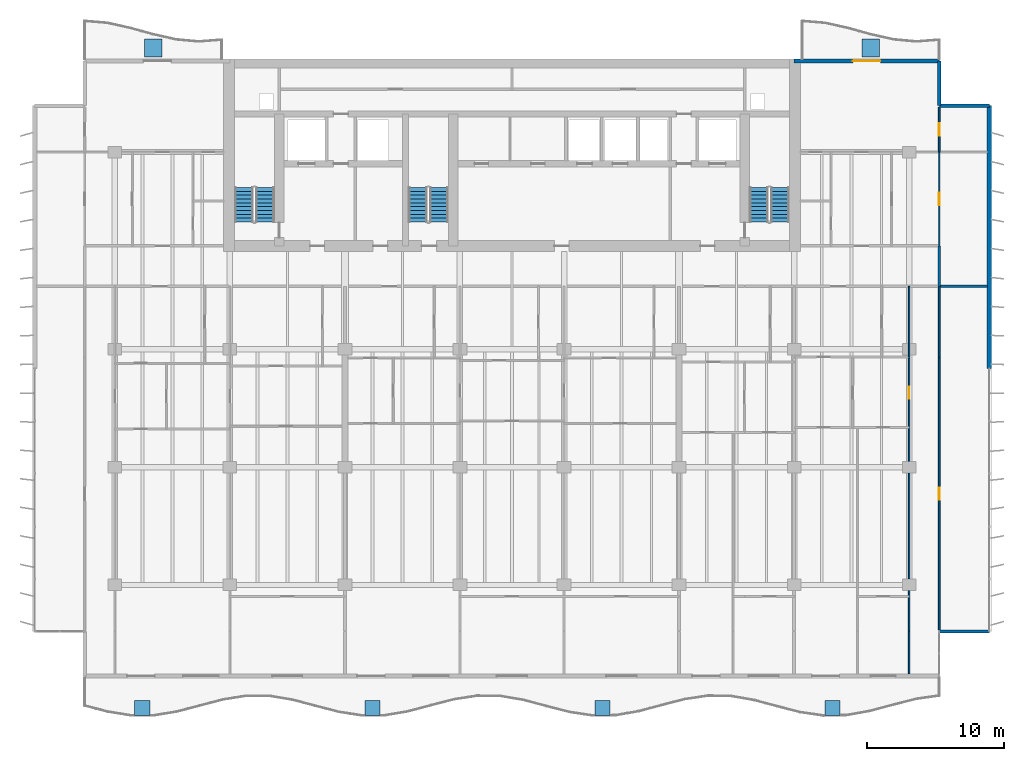
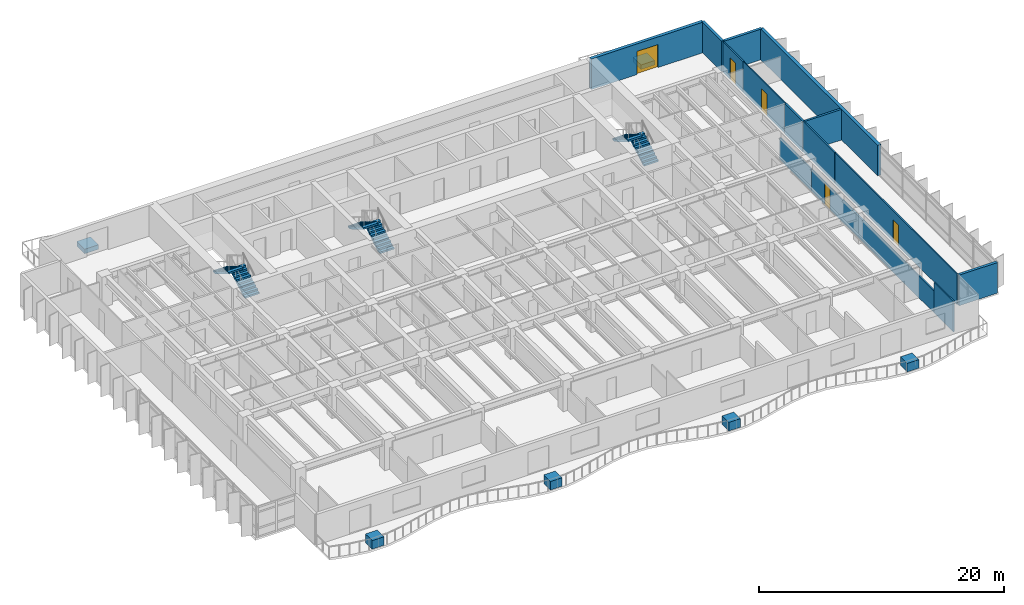
# One storey, part 11 of 15: 14 walls, 6 discrete accessories, 6 stair flights, 5 doors, 5 openings, 3 elements without a shape of their own.
"""IFC4 building model written with IfcOpenShell, lengths in metres."""

from ifc_helpers import new_model, si_unit, direction, frame, frame_2d, origin, origin_2d, place, context, subcontext, project, spatial, polyline, rectangle, outline, extrude, material, layer, layer_set, type_object, element, fill, aggregate, save


model = new_model("IFC4")

# Units and contexts
model_context = context("Model", 3, precision=1e-05, world=origin(), true_north=direction((0.0, 1.0)))
body_context = subcontext(model_context, "Body", "Model", "MODEL_VIEW")
ifc_project = project(units=[si_unit("LENGTHUNIT", "METRE"), si_unit("AREAUNIT", "SQUARE_METRE"), si_unit("VOLUMEUNIT", "CUBIC_METRE"), si_unit("PLANEANGLEUNIT", "RADIAN"), si_unit("MASSUNIT", "GRAM", prefix="KILO")], contexts=[model_context])

# Site, building, storey
site_placement = place(None, origin())
site = spatial("IfcSite", under=ifc_project, at=site_placement, CompositionType="ELEMENT")
building_placement = place(site_placement, origin())
building = spatial("IfcBuilding", under=site, at=building_placement, Name="Caelmar Bay Residences", CompositionType="ELEMENT")
storey_placement = place(building_placement, frame((0.0, 0.0, 135.60009765625)))
storey = spatial("IfcBuildingStorey", under=building, at=storey_placement, Name="L37", CompositionType="ELEMENT", Elevation=135.60009765625)

# Walls
ifc_material_1 = material(Name="Double-stud acoustic fire-rated gypsum partition 180 mm")
ifc_layer_1 = layer(ifc_material_1, 0.179931640625)
ifc_layer_set_1 = layer_set([ifc_layer_1], Name="Double-stud acoustic fire-rated gypsum partition 180 mm")
wall_type_1 = type_object("IfcWallType", Name="W-COR-200", PredefinedType="PARTITIONING", material=ifc_layer_set_1)
wall_1_placement = place(storey_placement, frame((70.10009765625, 34.0048828125, 0.0), z_axis=(0.0, 0.0, 1.0), x_axis=(0.0, 1.0, 0.0)))
element("IfcWall", 1, at=wall_1_placement, inside=storey, type_object=wall_type_1, Name="L37 Partition Wall V068", PredefinedType="PARTITIONING", context=body_context, shape_type="SweptSolid", body=[
    extrude(rectangle(XDim=2.945068359375, YDim=0.179931640625, at=frame_2d((1.47265625, 0.0))), origin(), (0.0, 0.0, 1.0), 3.0498046875),
])
ifc_material_2 = material(Name="Precast concrete f'c 40 MPa (6,000 psi)", Category="concrete")
ifc_layer_2 = layer(ifc_material_2, 0.25)
ifc_layer_set_2 = layer_set([ifc_layer_2], Name="Precast concrete f'c 40 MPa (6,000 psi)")
wall_type_2 = type_object("IfcWallType", Name="W-EXT-250", PredefinedType="ELEMENTEDWALL", material=ifc_layer_set_2)
wall_2_placement = place(storey_placement, frame((70.10009765625, 8.800048828125, 0.0), z_axis=(0.0, 0.0, 1.0), x_axis=(1.0, 0.0, 0.0)))
element("IfcWall", 2, at=wall_2_placement, inside=storey, type_object=wall_type_2, Name="L37 SE Notch Return Wall", PredefinedType="ELEMENTEDWALL", context=body_context, shape_type="SweptSolid", body=[
    extrude(rectangle(XDim=3.64990234375, YDim=0.25, at=frame_2d((1.824951171875, 0.0))), origin(), (0.0, 0.0, 1.0), 3.0498046875),
])
wall_3_placement = place(storey_placement, frame((70.10009765625, 50.449951171875, 0.0), z_axis=(0.0, 0.0, 1.0), x_axis=(0.0, -1.0, 0.0)))
element("IfcWall", 3, at=wall_3_placement, inside=storey, type_object=wall_type_2, Name="L37 NNE-V Notch Wall", PredefinedType="ELEMENTEDWALL", context=body_context, shape_type="SweptSolid", body=[
    extrude(rectangle(XDim=3.25, YDim=0.25, at=frame_2d((1.625, 0.0))), origin(), (0.0, 0.0, 1.0), 3.0498046875),
])
wall_4_placement = place(storey_placement, frame((70.10009765625, 47.199951171875, 0.0), z_axis=(0.0, 0.0, 1.0), x_axis=(1.0, 0.0, 0.0)))
element("IfcWall", 4, at=wall_4_placement, inside=storey, type_object=wall_type_2, Name="L37 NNE-H Notch Wall", PredefinedType="ELEMENTEDWALL", context=body_context, shape_type="SweptSolid", body=[
    extrude(rectangle(XDim=3.64990234375, YDim=0.25, at=frame_2d((1.824951171875, 0.0))), origin(), (0.0, 0.0, 1.0), 3.0498046875),
])
ifc_layer_3 = layer(ifc_material_2, 0.300048828125)
ifc_layer_set_3 = layer_set([ifc_layer_3], Name="Precast concrete f'c 40 MPa (6,000 psi)")
wall_type_3 = type_object("IfcWallType", Name="W-EXT-300", PredefinedType="STANDARD", material=ifc_layer_set_3)
wall_5_placement = place(storey_placement, frame((73.75, 47.199951171875, 0.0), z_axis=(0.0, 0.0, 1.0), x_axis=(0.0, -1.0, 0.0)))
element("IfcWall", 5, at=wall_5_placement, inside=storey, type_object=wall_type_3, Name="L37 East Rear Exterior Wall", PredefinedType="STANDARD", context=body_context, shape_type="SweptSolid", body=[
    extrude(rectangle(XDim=19.199951171875, YDim=0.300048828125, at=frame_2d((9.60009765625, 0.0))), origin(), (0.0, 0.0, 1.0), 3.0498046875),
])

# Wall, opening, door
wall_6_placement = place(storey_placement, frame((59.5, 50.449951171875, 0.0), z_axis=(0.0, 0.0, 1.0), x_axis=(1.0, 0.0, 0.0)))
wall_6 = element("IfcWall", 6, at=wall_6_placement, inside=storey, type_object=wall_type_3, Name="L37 North-East Wing Exterior Wall", PredefinedType="STANDARD", context=body_context, shape_type="SweptSolid", body=[
    extrude(rectangle(XDim=10.60009765625, YDim=0.300048828125, at=frame_2d((5.300048828125, 0.0))), origin(), (0.0, 0.0, 1.0), 3.0498046875),
])
opening_1_placement = place(wall_6_placement, frame((4.300048828125, 0.0, 0.0)))
opening_1 = element("IfcOpeningElement", 7, at=opening_1_placement, cuts=wall_6, Name="Opening L37-BDNE", PredefinedType="OPENING", context=body_context, shape_type="SweptSolid", body=[
    extrude(rectangle(XDim=2.0, YDim=2.300048828125, at=frame_2d((1.0, 1.14990234375))), frame((0.0, 0.159912109375, 0.0), z_axis=(0.0, -1.0, 0.0), x_axis=(1.0, 0.0, 0.0)), (0.0, 0.0, 1.0), 0.320068359375),
])
ifc_material_3 = material(Name="Anodised bronze thermally broken sliding glass door", Category="glass")
ifc_layer_4 = layer(ifc_material_3, 0.050048828125)
ifc_layer_set_4 = layer_set([ifc_layer_4], Name="Anodised bronze thermally broken sliding glass door")
door_type_1 = type_object("IfcDoorType", Name="D-BAL-2000", OperationType="DOUBLE_DOOR_SLIDING", PredefinedType="DOOR", material=ifc_layer_set_4)
door_1_placement = place(opening_1_placement, origin())
door_1 = element("IfcDoor", 8, at=door_1_placement, inside=storey, type_object=door_type_1, Name="L37 North-East Balcony Door", OperationType="DOUBLE_DOOR_SLIDING", OverallHeight=2.300048828125, OverallWidth=2.0, PredefinedType="DOOR", context=body_context, shape_type="SweptSolid", body=[
    extrude(rectangle(XDim=2.0, YDim=2.300048828125, at=frame_2d((1.0, 1.14990234375))), frame((0.0, 0.02490234375, 0.0), z_axis=(0.0, -1.0, 0.0), x_axis=(1.0, 0.0, 0.0)), (0.0, 0.0, 1.0), 0.050048828125),
])
fill(opening_1, door_1)

ifc_material_4 = material(Name="Anodised bronze framed acoustic sliding study partition 100 mm")
ifc_layer_5 = layer(ifc_material_4, 0.10009765625)
ifc_layer_set_5 = layer_set([ifc_layer_5], Name="Anodised bronze framed acoustic sliding study partition 100 mm")
wall_type_4 = type_object("IfcWallType", Name="W-MOV-100", PredefinedType="MOVABLE", material=ifc_layer_set_5)
wall_7_placement = place(storey_placement, frame((70.10009765625, 36.955078125, 0.0), z_axis=(0.0, 0.0, 1.0), x_axis=(0.0, 1.0, 0.0)))
wall_7 = element("IfcWall", 9, at=wall_7_placement, inside=storey, type_object=wall_type_4, Name="L37 Partition Wall V069", PredefinedType="MOVABLE", context=body_context, shape_type="SweptSolid", body=[
    extrude(rectangle(XDim=6.844970703125, YDim=0.10009765625, at=frame_2d((3.42236328125, 0.0))), origin(), (0.0, 0.0, 1.0), 3.0498046875),
])
opening_2_placement = place(wall_7_placement, frame((2.972412109375, 0.0, 0.0)))
opening_2 = element("IfcOpeningElement", 10, at=opening_2_placement, cuts=wall_7, Name="Opening D-L37-175", PredefinedType="OPENING", context=body_context, shape_type="SweptSolid", body=[
    extrude(rectangle(XDim=0.89990234375, YDim=2.14990234375, at=frame_2d((0.449951171875, 1.074951171875))), frame((0.0, 0.06005859375, 0.0), z_axis=(0.0, -1.0, 0.0), x_axis=(1.0, 0.0, 0.0)), (0.0, 0.0, 1.0), 0.1201171875),
])
ifc_material_5 = material(Name="Solid walnut timber interior door leaf and frame", Category="wood")
ifc_layer_6 = layer(ifc_material_5, 0.050048828125)
ifc_layer_set_6 = layer_set([ifc_layer_6], Name="Solid walnut timber interior door leaf and frame")
door_type_2 = type_object("IfcDoorType", Name="D-ROOM-900", OperationType="NOTDEFINED", PredefinedType="DOOR", material=ifc_layer_set_6)
door_2_placement = place(opening_2_placement, origin())
door_2 = element("IfcDoor", 11, at=door_2_placement, inside=storey, type_object=door_type_2, Name="L37 Residence EA Sun Study Door", OperationType="SINGLE_SWING_RIGHT", OverallHeight=2.14990234375, OverallWidth=0.89990234375, PredefinedType="DOOR", context=body_context, shape_type="SweptSolid", body=[
    extrude(rectangle(XDim=0.89990234375, YDim=2.14990234375, at=frame_2d((0.449951171875, 1.074951171875))), frame((0.0, 0.02490234375, 0.0), z_axis=(0.0, -1.0, 0.0), x_axis=(1.0, 0.0, 0.0)), (0.0, 0.0, 1.0), 0.050048828125),
])
fill(opening_2, door_2)

# Wall
ifc_material_6 = material(Name="Acoustic metal-stud gypsum partition 120 mm")
ifc_layer_7 = layer(ifc_material_6, 0.1201171875)
ifc_layer_set_7 = layer_set([ifc_layer_7], Name="Acoustic metal-stud gypsum partition 120 mm")
wall_type_5 = type_object("IfcWallType", Name="W-PRT-120", PredefinedType="PARTITIONING", material=ifc_layer_set_7)
wall_8_placement = place(storey_placement, frame((67.89990234375, 5.695068359375, 0.0), z_axis=(0.0, 0.0, 1.0), x_axis=(0.0, 1.0, 0.0)))
element("IfcWall", 12, at=wall_8_placement, inside=storey, type_object=wall_type_5, Name="L37 Partition Wall V063", PredefinedType="PARTITIONING", context=body_context, shape_type="SweptSolid", body=[
    extrude(rectangle(XDim=3.10498046875, YDim=0.1201171875, at=frame_2d((1.552490234375, 0.0))), origin(), (0.0, 0.0, 1.0), 3.0498046875),
])

# Wall, opening, door
wall_9_placement = place(storey_placement, frame((67.89990234375, 8.840087890625, 0.0), z_axis=(0.0, 0.0, 1.0), x_axis=(0.0, 1.0, 0.0)))
wall_9 = element("IfcWall", 13, at=wall_9_placement, inside=storey, type_object=wall_type_5, Name="L37 Partition Wall V064", PredefinedType="PARTITIONING", context=body_context, shape_type="SweptSolid", body=[
    extrude(rectangle(XDim=19.93994140625, YDim=0.1201171875, at=frame_2d((9.969970703125, 0.0))), origin(), (0.0, 0.0, 1.0), 2.173828125),
])
opening_3_placement = place(wall_9_placement, frame((16.945068359375, 0.0, 0.0)))
opening_3 = element("IfcOpeningElement", 14, at=opening_3_placement, cuts=wall_9, Name="Opening D-L37-160", PredefinedType="OPENING", context=body_context, shape_type="SweptSolid", body=[
    extrude(rectangle(XDim=0.89990234375, YDim=2.1240234375, at=frame_2d((0.449951171875, 1.06201171875))), frame((0.0, 0.070068359375, 0.0), z_axis=(0.0, -1.0, 0.0), x_axis=(1.0, 0.0, 0.0)), (0.0, 0.0, 1.0), 0.14013671875),
])
door_3_placement = place(opening_3_placement, origin())
door_3 = element("IfcDoor", 15, at=door_3_placement, inside=storey, type_object=door_type_2, Name="L37 Residence 04 East Apartment Hall Door", OperationType="SINGLE_SWING_LEFT", OverallHeight=2.1240234375, OverallWidth=0.89990234375, PredefinedType="DOOR", context=body_context, shape_type="SweptSolid", body=[
    extrude(rectangle(XDim=0.89990234375, YDim=2.1240234375, at=frame_2d((0.449951171875, 1.06201171875))), frame((0.0, 0.02490234375, 0.0), z_axis=(0.0, -1.0, 0.0), x_axis=(1.0, 0.0, 0.0)), (0.0, 0.0, 1.0), 0.050048828125),
])
fill(opening_3, door_3)

# Wall
wall_10_placement = place(storey_placement, frame((67.89990234375, 28.840087890625, 0.0), z_axis=(0.0, 0.0, 1.0), x_axis=(0.0, 1.0, 0.0)))
element("IfcWall", 16, at=wall_10_placement, inside=storey, type_object=wall_type_5, Name="L37 Partition Wall V065", PredefinedType="PARTITIONING", context=body_context, shape_type="SweptSolid", body=[
    extrude(rectangle(XDim=5.159912109375, YDim=0.1201171875, at=frame_2d((2.580078125, 0.0))), origin(), (0.0, 0.0, 1.0), 2.173828125),
])

# Wall, opening, door
wall_11_placement = place(storey_placement, frame((70.10009765625, 8.919921875, 0.0), z_axis=(0.0, 0.0, 1.0), x_axis=(0.0, 1.0, 0.0)))
wall_11 = element("IfcWall", 17, at=wall_11_placement, inside=storey, type_object=wall_type_5, Name="L37 Partition Wall V066", PredefinedType="PARTITIONING", context=body_context, shape_type="SweptSolid", body=[
    extrude(rectangle(XDim=19.860107421875, YDim=0.1201171875, at=frame_2d((9.93017578125, 0.0))), origin(), (0.0, 0.0, 1.0), 3.0498046875),
])
opening_4_placement = place(wall_11_placement, frame((9.47998046875, 0.0, 0.0)))
opening_4 = element("IfcOpeningElement", 18, at=opening_4_placement, cuts=wall_11, Name="Opening D-L37-162", PredefinedType="OPENING", context=body_context, shape_type="SweptSolid", body=[
    extrude(rectangle(XDim=0.89990234375, YDim=2.14990234375, at=frame_2d((0.449951171875, 1.074951171875))), frame((0.0, 0.070068359375, 0.0), z_axis=(0.0, -1.0, 0.0), x_axis=(1.0, 0.0, 0.0)), (0.0, 0.0, 1.0), 0.14013671875),
])
door_4_placement = place(opening_4_placement, origin())
door_4 = element("IfcDoor", 19, at=door_4_placement, inside=storey, type_object=door_type_2, Name="L37 Residence 04 Penthouse East Salon Door", OperationType="SINGLE_SWING_LEFT", OverallHeight=2.14990234375, OverallWidth=0.89990234375, PredefinedType="DOOR", context=body_context, shape_type="SweptSolid", body=[
    extrude(rectangle(XDim=0.89990234375, YDim=2.14990234375, at=frame_2d((0.449951171875, 1.074951171875))), frame((0.0, 0.02490234375, 0.0), z_axis=(0.0, -1.0, 0.0), x_axis=(1.0, 0.0, 0.0)), (0.0, 0.0, 1.0), 0.050048828125),
])
fill(opening_4, door_4)

# Wall
wall_12_placement = place(storey_placement, frame((70.10009765625, 28.840087890625, 0.0), z_axis=(0.0, 0.0, 1.0), x_axis=(0.0, 1.0, 0.0)))
element("IfcWall", 20, at=wall_12_placement, inside=storey, type_object=wall_type_5, Name="L37 Partition Wall V067", PredefinedType="PARTITIONING", context=body_context, shape_type="SweptSolid", body=[
    extrude(rectangle(XDim=5.159912109375, YDim=0.1201171875, at=frame_2d((2.580078125, 0.0))), origin(), (0.0, 0.0, 1.0), 3.0498046875),
])

# Wall, opening, door
wall_13_placement = place(storey_placement, frame((70.10009765625, 43.804931640625, 0.0), z_axis=(0.0, 0.0, 1.0), x_axis=(0.0, 1.0, 0.0)))
wall_13 = element("IfcWall", 21, at=wall_13_placement, inside=storey, type_object=wall_type_5, Name="L37 Partition Wall V070", PredefinedType="PARTITIONING", context=body_context, shape_type="SweptSolid", body=[
    extrude(rectangle(XDim=3.275146484375, YDim=0.1201171875, at=frame_2d((1.6376953125, 0.0))), origin(), (0.0, 0.0, 1.0), 3.0498046875),
])
opening_5_placement = place(wall_13_placement, frame((1.1875, 0.0, 0.0)))
opening_5 = element("IfcOpeningElement", 22, at=opening_5_placement, cuts=wall_13, Name="Opening D-L37-176", PredefinedType="OPENING", context=body_context, shape_type="SweptSolid", body=[
    extrude(rectangle(XDim=0.89990234375, YDim=2.14990234375, at=frame_2d((0.449951171875, 1.074951171875))), frame((0.0, 0.070068359375, 0.0), z_axis=(0.0, -1.0, 0.0), x_axis=(1.0, 0.0, 0.0)), (0.0, 0.0, 1.0), 0.14013671875),
])
door_5_placement = place(opening_5_placement, origin())
door_5 = element("IfcDoor", 23, at=door_5_placement, inside=storey, type_object=door_type_2, Name="L37 Residence EA North Sitting Alcove Door", OperationType="SINGLE_SWING_LEFT", OverallHeight=2.14990234375, OverallWidth=0.89990234375, PredefinedType="DOOR", context=body_context, shape_type="SweptSolid", body=[
    extrude(rectangle(XDim=0.89990234375, YDim=2.14990234375, at=frame_2d((0.449951171875, 1.074951171875))), frame((0.0, 0.02490234375, 0.0), z_axis=(0.0, -1.0, 0.0), x_axis=(1.0, 0.0, 0.0)), (0.0, 0.0, 1.0), 0.050048828125),
])
fill(opening_5, door_5)

# Wall
ifc_material_7 = material(Name="Acoustic twin-stud fire-rated inter-tenancy partition 200 mm")
ifc_layer_8 = layer(ifc_material_7, 0.199951171875)
ifc_layer_set_8 = layer_set([ifc_layer_8], Name="Acoustic twin-stud fire-rated inter-tenancy partition 200 mm")
wall_type_6 = type_object("IfcWallType", Name="W-PTY-200", PredefinedType="PARTITIONING", material=ifc_layer_set_8)
wall_14_placement = place(storey_placement, frame((70.10498046875, 34.0, 0.0), z_axis=(0.0, 0.0, 1.0), x_axis=(1.0, 0.0, 0.0)))
element("IfcWall", 24, at=wall_14_placement, inside=storey, type_object=wall_type_6, Name="L37 Partition Wall H097", PredefinedType="PARTITIONING", context=body_context, shape_type="SweptSolid", body=[
    extrude(rectangle(XDim=3.5, YDim=0.199951171875, at=frame_2d((1.75, 0.0))), origin(), (0.0, 0.0, 1.0), 3.0498046875),
])

# Stair, stair flights
ifc_material_8 = material(Name="Concrete f'c 40 MPa (6,000 psi)", Category="concrete")
stair_type = type_object("IfcStairType", Name="ST-TYP-165", PredefinedType="HALF_TURN_STAIR", material=ifc_material_8)
stair_1_placement = place(storey_placement, origin())
stair_1 = element("IfcStair", 25, at=stair_1_placement, inside=storey, type_object=stair_type, Name="L37 West Smokeproof Exit Stair ST1", PredefinedType="HALF_TURN_STAIR")
stair_flight_type = type_object("IfcStairFlightType", Name="STF-1350", PredefinedType="STRAIGHT", material=ifc_material_8)
stair_flight_1_placement = place(storey_placement, frame((20.875, 38.699951171875, 0.0), z_axis=(0.0, 0.0, 1.0), x_axis=(0.0, 1.0, 0.0)))
stair_flight_1 = element("IfcStairFlight", 26, at=stair_flight_1_placement, type_object=stair_flight_type, Name="ST1 flight 1", NumberOfRisers=10, NumberOfTreads=9, PredefinedType="STRAIGHT", RiserHeight=0.165, TreadLength=0.28, context=body_context, shape_type="SweptSolid", body=[
    extrude(outline(polyline([(0.0, 0.0), (0.0, 0.1650390625), (0.280029296875, 0.1650390625), (0.280029296875, 0.330078125), (0.56005859375, 0.330078125), (0.56005859375, 0.4951171875), (0.840087890625, 0.4951171875), (0.840087890625, 0.659912109375), (1.1201171875, 0.659912109375), (1.1201171875, 0.824951171875), (1.39990234375, 0.824951171875), (1.39990234375, 0.989990234375), (1.679931640625, 0.989990234375), (1.679931640625, 1.155029296875), (1.9599609375, 1.155029296875), (1.9599609375, 1.320068359375), (2.239990234375, 1.320068359375), (2.239990234375, 1.485107421875), (2.52001953125, 1.485107421875), (2.52001953125, 1.64990234375), (2.52001953125, 1.31103515625), (0.295166015625, 0.0), (0.0, 0.0)])), frame((0.0, 0.675048828125, 0.0), z_axis=(0.0, -1.0, 0.0), x_axis=(1.0, 0.0, 0.0)), (0.0, 0.0, 1.0), 1.35009765625),
])
stair_flight_2_placement = place(storey_placement, frame((19.324951171875, 41.219970703125, 1.64990234375), z_axis=(0.0, 0.0, 1.0), x_axis=(0.0, -1.0, 0.0)))
stair_flight_2 = element("IfcStairFlight", 27, at=stair_flight_2_placement, type_object=stair_flight_type, Name="ST1 flight 2", NumberOfRisers=10, NumberOfTreads=9, PredefinedType="STRAIGHT", RiserHeight=0.165, TreadLength=0.28, context=body_context, shape_type="SweptSolid", body=[
    extrude(outline(polyline([(0.0, 0.0), (0.0, 0.1650390625), (0.280029296875, 0.1650390625), (0.280029296875, 0.330078125), (0.56005859375, 0.330078125), (0.56005859375, 0.4951171875), (0.840087890625, 0.4951171875), (0.840087890625, 0.659912109375), (1.1201171875, 0.659912109375), (1.1201171875, 0.824951171875), (1.39990234375, 0.824951171875), (1.39990234375, 0.989990234375), (1.679931640625, 0.989990234375), (1.679931640625, 1.155029296875), (1.9599609375, 1.155029296875), (1.9599609375, 1.320068359375), (2.239990234375, 1.320068359375), (2.239990234375, 1.485107421875), (2.52001953125, 1.485107421875), (2.52001953125, 1.64990234375), (2.52001953125, 1.31103515625), (0.295166015625, 0.0), (0.0, 0.0)])), frame((0.0, 0.675048828125, 0.0), z_axis=(0.0, -1.0, 0.0), x_axis=(1.0, 0.0, 0.0)), (0.0, 0.0, 1.0), 1.35009765625),
])
aggregate(stair_1, [stair_flight_1, stair_flight_2])

stair_2_placement = place(storey_placement, origin())
stair_2 = element("IfcStair", 28, at=stair_2_placement, inside=storey, type_object=stair_type, Name="L37 East Smokeproof Exit Stair ST2", PredefinedType="HALF_TURN_STAIR")
stair_flight_3_placement = place(storey_placement, frame((58.47509765625, 38.699951171875, 0.0), z_axis=(0.0, 0.0, 1.0), x_axis=(0.0, 1.0, 0.0)))
stair_flight_3 = element("IfcStairFlight", 29, at=stair_flight_3_placement, type_object=stair_flight_type, Name="ST2 flight 1", NumberOfRisers=10, NumberOfTreads=9, PredefinedType="STRAIGHT", RiserHeight=0.165, TreadLength=0.28, context=body_context, shape_type="SweptSolid", body=[
    extrude(outline(polyline([(0.0, 0.0), (0.0, 0.1650390625), (0.280029296875, 0.1650390625), (0.280029296875, 0.330078125), (0.56005859375, 0.330078125), (0.56005859375, 0.4951171875), (0.840087890625, 0.4951171875), (0.840087890625, 0.659912109375), (1.1201171875, 0.659912109375), (1.1201171875, 0.824951171875), (1.39990234375, 0.824951171875), (1.39990234375, 0.989990234375), (1.679931640625, 0.989990234375), (1.679931640625, 1.155029296875), (1.9599609375, 1.155029296875), (1.9599609375, 1.320068359375), (2.239990234375, 1.320068359375), (2.239990234375, 1.485107421875), (2.52001953125, 1.485107421875), (2.52001953125, 1.64990234375), (2.52001953125, 1.31103515625), (0.295166015625, 0.0), (0.0, 0.0)])), frame((0.0, 0.675048828125, 0.0), z_axis=(0.0, -1.0, 0.0), x_axis=(1.0, 0.0, 0.0)), (0.0, 0.0, 1.0), 1.35009765625),
])
stair_flight_4_placement = place(storey_placement, frame((56.925048828125, 41.219970703125, 1.64990234375), z_axis=(0.0, 0.0, 1.0), x_axis=(0.0, -1.0, 0.0)))
stair_flight_4 = element("IfcStairFlight", 30, at=stair_flight_4_placement, type_object=stair_flight_type, Name="ST2 flight 2", NumberOfRisers=10, NumberOfTreads=9, PredefinedType="STRAIGHT", RiserHeight=0.165, TreadLength=0.28, context=body_context, shape_type="SweptSolid", body=[
    extrude(outline(polyline([(0.0, 0.0), (0.0, 0.1650390625), (0.280029296875, 0.1650390625), (0.280029296875, 0.330078125), (0.56005859375, 0.330078125), (0.56005859375, 0.4951171875), (0.840087890625, 0.4951171875), (0.840087890625, 0.659912109375), (1.1201171875, 0.659912109375), (1.1201171875, 0.824951171875), (1.39990234375, 0.824951171875), (1.39990234375, 0.989990234375), (1.679931640625, 0.989990234375), (1.679931640625, 1.155029296875), (1.9599609375, 1.155029296875), (1.9599609375, 1.320068359375), (2.239990234375, 1.320068359375), (2.239990234375, 1.485107421875), (2.52001953125, 1.485107421875), (2.52001953125, 1.64990234375), (2.52001953125, 1.31103515625), (0.295166015625, 0.0), (0.0, 0.0)])), frame((0.0, 0.675048828125, 0.0), z_axis=(0.0, -1.0, 0.0), x_axis=(1.0, 0.0, 0.0)), (0.0, 0.0, 1.0), 1.35009765625),
])
aggregate(stair_2, [stair_flight_3, stair_flight_4])

stair_3_placement = place(storey_placement, origin())
stair_3 = element("IfcStair", 31, at=stair_3_placement, inside=storey, type_object=stair_type, Name="L37 Central Smokeproof Exit Stair ST3", PredefinedType="HALF_TURN_STAIR")
stair_flight_5_placement = place(storey_placement, frame((33.574951171875, 38.699951171875, 0.0), z_axis=(0.0, 0.0, 1.0), x_axis=(0.0, 1.0, 0.0)))
stair_flight_5 = element("IfcStairFlight", 32, at=stair_flight_5_placement, type_object=stair_flight_type, Name="ST3 flight 1", NumberOfRisers=10, NumberOfTreads=9, PredefinedType="STRAIGHT", RiserHeight=0.165, TreadLength=0.28, context=body_context, shape_type="SweptSolid", body=[
    extrude(outline(polyline([(0.0, 0.0), (0.0, 0.1650390625), (0.280029296875, 0.1650390625), (0.280029296875, 0.330078125), (0.56005859375, 0.330078125), (0.56005859375, 0.4951171875), (0.840087890625, 0.4951171875), (0.840087890625, 0.659912109375), (1.1201171875, 0.659912109375), (1.1201171875, 0.824951171875), (1.39990234375, 0.824951171875), (1.39990234375, 0.989990234375), (1.679931640625, 0.989990234375), (1.679931640625, 1.155029296875), (1.9599609375, 1.155029296875), (1.9599609375, 1.320068359375), (2.239990234375, 1.320068359375), (2.239990234375, 1.485107421875), (2.52001953125, 1.485107421875), (2.52001953125, 1.64990234375), (2.52001953125, 1.31103515625), (0.295166015625, 0.0), (0.0, 0.0)])), frame((0.0, 0.675048828125, 0.0), z_axis=(0.0, -1.0, 0.0), x_axis=(1.0, 0.0, 0.0)), (0.0, 0.0, 1.0), 1.35009765625),
])
stair_flight_6_placement = place(storey_placement, frame((32.02490234375, 41.219970703125, 1.64990234375), z_axis=(0.0, 0.0, 1.0), x_axis=(0.0, -1.0, 0.0)))
stair_flight_6 = element("IfcStairFlight", 33, at=stair_flight_6_placement, type_object=stair_flight_type, Name="ST3 flight 2", NumberOfRisers=10, NumberOfTreads=9, PredefinedType="STRAIGHT", RiserHeight=0.165, TreadLength=0.28, context=body_context, shape_type="SweptSolid", body=[
    extrude(outline(polyline([(0.0, 0.0), (0.0, 0.1650390625), (0.280029296875, 0.1650390625), (0.280029296875, 0.330078125), (0.56005859375, 0.330078125), (0.56005859375, 0.4951171875), (0.840087890625, 0.4951171875), (0.840087890625, 0.659912109375), (1.1201171875, 0.659912109375), (1.1201171875, 0.824951171875), (1.39990234375, 0.824951171875), (1.39990234375, 0.989990234375), (1.679931640625, 0.989990234375), (1.679931640625, 1.155029296875), (1.9599609375, 1.155029296875), (1.9599609375, 1.320068359375), (2.239990234375, 1.320068359375), (2.239990234375, 1.485107421875), (2.52001953125, 1.485107421875), (2.52001953125, 1.64990234375), (2.52001953125, 1.31103515625), (0.295166015625, 0.0), (0.0, 0.0)])), frame((0.0, 0.675048828125, 0.0), z_axis=(0.0, -1.0, 0.0), x_axis=(1.0, 0.0, 0.0)), (0.0, 0.0, 1.0), 1.35009765625),
])
aggregate(stair_3, [stair_flight_5, stair_flight_6])

# Discrete accessories
ifc_material_9 = material(Name="Architectural bronze GRC planter trough with volcanic-lapilli substrate")
discrete_accessory_type_1 = type_object("IfcDiscreteAccessoryType", Name="ACC-PLANTER-1100", PredefinedType="USERDEFINED", material=ifc_material_9)
for number, where, z_axis, x_axis, name in (
    (34, (11.89990234375, 3.199951171875, -0.000244140625), (0.0, 0.0, 1.0), (1.0, 0.0, 0.0), "L37 Balcony Structural Tree Planter 1"),
    (35, (28.699951171875, 3.199951171875, -0.000244140625), (0.0, 0.0, 1.0), (1.0, 0.0, 0.0), "L37 Balcony Structural Tree Planter 2"),
    (36, (45.5, 3.199951171875, -0.000244140625), (0.0, 0.0, 1.0), (1.0, 0.0, 0.0), "L37 Balcony Structural Tree Planter 3"),
    (37, (62.300048828125, 3.199951171875, -0.000244140625), (0.0, 0.0, 1.0), (1.0, 0.0, 0.0), "L37 Balcony Structural Tree Planter 4"),
):
    element("IfcDiscreteAccessory", number, at=place(storey_placement, frame(where, z_axis=z_axis, x_axis=x_axis)), inside=storey, type_object=discrete_accessory_type_1, Name=name, ObjectType="PLANTER", PredefinedType="USERDEFINED", context=body_context, shape_type="SweptSolid", body=[
        extrude(rectangle(XDim=1.10009765625, YDim=1.10009765625, at=origin_2d()), origin(), (0.0, 0.0, 1.0), 0.85009765625),
    ])
discrete_accessory_type_2 = type_object("IfcDiscreteAccessoryType", Name="STR-PLANTER-KERB-450", PredefinedType="USERDEFINED", material=ifc_material_2)
for number, where, z_axis, x_axis, name in (
    (38, (12.699951171875, 51.39990234375, 0.0), (0.0, 0.0, 1.0), (1.0, 0.0, 0.0), "L37 north_west Structural Tree Planter Kerb"),
    (39, (65.10009765625, 51.39990234375, 0.0), (0.0, 0.0, 1.0), (1.0, 0.0, 0.0), "L37 north_east Structural Tree Planter Kerb"),
):
    element("IfcDiscreteAccessory", number, at=place(storey_placement, frame(where, z_axis=z_axis, x_axis=x_axis)), inside=storey, type_object=discrete_accessory_type_2, Name=name, ObjectType="PLANTER", PredefinedType="USERDEFINED", context=body_context, shape_type="SweptSolid", body=[
        extrude(rectangle(XDim=1.300048828125, YDim=1.300048828125, at=origin_2d()), origin(), (0.0, 0.0, 1.0), 0.449951171875),
    ])

save(model, "model.ifc")
